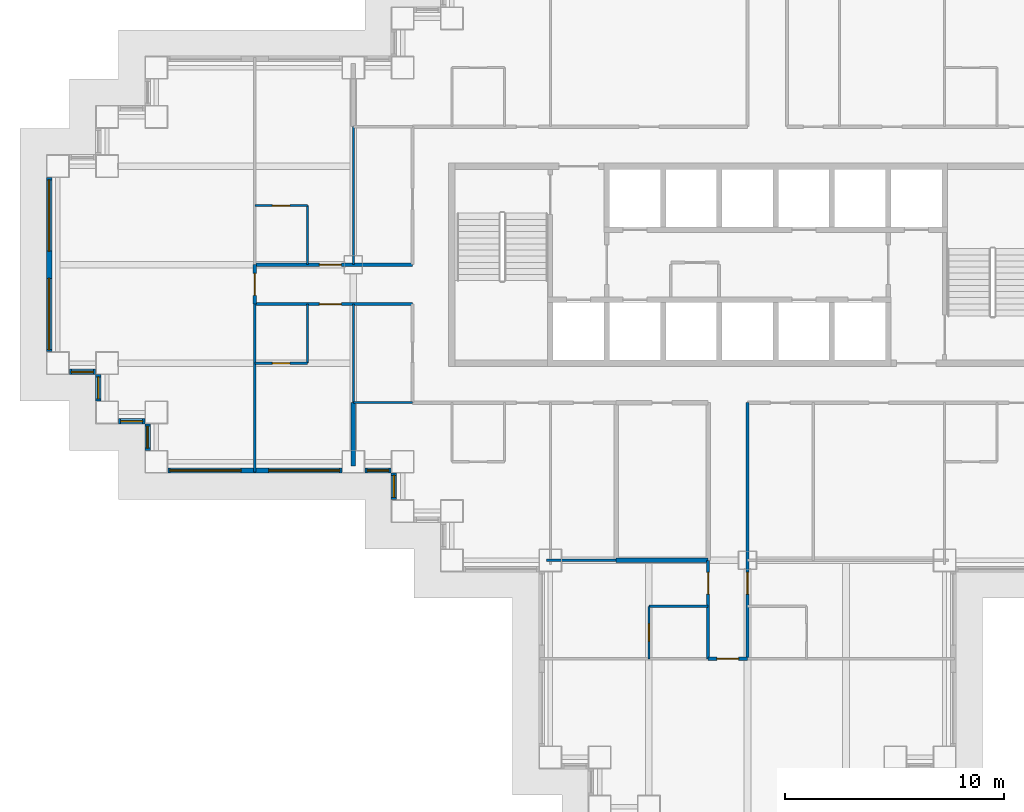
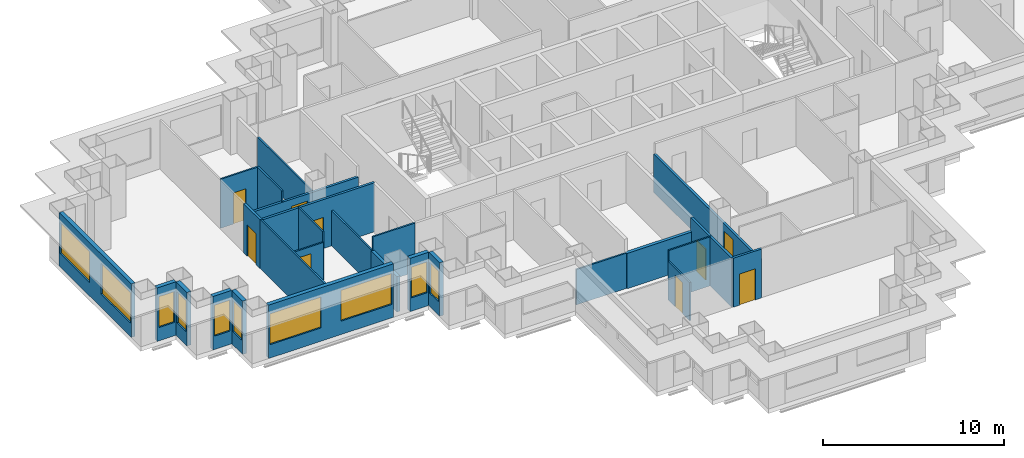
# One storey, part 3 of 14: 27 walls, 10 windows, 9 doors, 19 openings.
"""IFC4 building model written with IfcOpenShell, lengths in metres."""

import ifcopenshell
import ifcopenshell.guid

model = None  # the IFC model being written
_history = None  # IfcOwnerHistory: only IFC2X3 demands one
_inside = {}  # id of a spatial element -> (the spatial element, [elements in it])
_under = {}  # id of a project, library or spatial element -> (it, [spatial elements below it])
_declared = {}  # id of a project -> (the project, [libraries it declares])
_typed = {}  # id of a type object -> (the type object, [elements of that type])
_made_of = {}  # id of a material, layer set ... -> (it, [elements and type objects made of it])


def new_model(schema):
    """Start an empty IFC model of exactly this schema.

    Asked for "IFC4X3", IfcOpenShell would pick the latest addendum, in which some entities
    have other attributes; the version numbers below select the first issue.
    IFC2X3 requires an IfcOwnerHistory on every rooted entity: one is made here for all.
    """
    global model, _history
    if schema == "IFC4X3":
        model = ifcopenshell.file(schema_version=(4, 3, 0, 0))
    else:
        model = ifcopenshell.file(schema=schema)
    _inside.clear()
    _under.clear()
    _declared.clear()
    _typed.clear()
    _made_of.clear()
    _history = None
    if model.schema == "IFC2X3":
        org = make("IfcOrganization", Name="unknown")
        user = make(
            "IfcPersonAndOrganization",
            ThePerson=make("IfcPerson", FamilyName="unknown"),
            TheOrganization=org,
        )
        app = make(
            "IfcApplication",
            ApplicationDeveloper=org,
            Version="unknown",
            ApplicationFullName="unknown",
            ApplicationIdentifier="unknown",
        )
        _history = make(
            "IfcOwnerHistory",
            OwningUser=user,
            OwningApplication=app,
            ChangeAction="ADDED",
            CreationDate=0,
        )
    return model


def make(cls, **values):
    """One entity of the class cls with the attributes given. An attribute that is None is left unset."""
    return model.create_entity(
        cls, **{name: value for name, value in values.items() if value is not None}
    )


def rooted(cls, **values):
    """An entity with a GlobalId (a new one), such as an element, a storey or a relation."""
    return make(cls, GlobalId=ifcopenshell.guid.new(), OwnerHistory=_history, **values)


def si_unit(unit_type, name, prefix=None):
    """IfcSIUnit, for example si_unit("LENGTHUNIT", "METRE", prefix="MILLI")."""
    return make("IfcSIUnit", UnitType=unit_type, Prefix=prefix, Name=name)


def assignment(units):
    """IfcUnitAssignment: the units of a project."""
    return None if units is None else make("IfcUnitAssignment", Units=units)


def point(xyz):
    """IfcCartesianPoint."""
    return None if xyz is None else make("IfcCartesianPoint", Coordinates=xyz)


def direction(xyz):
    """IfcDirection."""
    return None if xyz is None else make("IfcDirection", DirectionRatios=xyz)


def frame(location, z_axis=None, x_axis=None):
    """IfcAxis2Placement3D, a coordinate frame: its origin and axes. An axis left out is left unset."""
    return make(
        "IfcAxis2Placement3D",
        Location=point(location),
        Axis=direction(z_axis),
        RefDirection=direction(x_axis),
    )


def frame_2d(location, x_axis=None):
    """IfcAxis2Placement2D, a coordinate frame in the plane: its origin and x axis."""
    return make(
        "IfcAxis2Placement2D", Location=point(location), RefDirection=direction(x_axis)
    )


def origin():
    """The frame at (0, 0, 0) with its axes left unset."""
    return frame((0.0, 0.0, 0.0))


def place(relative_to, where):
    """IfcLocalPlacement: puts the frame where relative to a parent placement (None: the world)."""
    return make(
        "IfcLocalPlacement", PlacementRelTo=relative_to, RelativePlacement=where
    )


def context(
    kind, dimensions, precision=None, world=None, true_north=None, identifier=None
):
    """IfcGeometricRepresentationContext, for example the 3D "Model" context."""
    return make(
        "IfcGeometricRepresentationContext",
        ContextIdentifier=identifier,
        ContextType=kind,
        CoordinateSpaceDimension=dimensions,
        Precision=precision,
        WorldCoordinateSystem=world,
        TrueNorth=true_north,
    )


def subcontext(parent, identifier, kind, view, scale=None):
    """IfcGeometricRepresentationSubContext, for example "Body" below "Model"."""
    return make(
        "IfcGeometricRepresentationSubContext",
        ContextIdentifier=identifier,
        ContextType=kind,
        ParentContext=parent,
        TargetScale=scale,
        TargetView=view,
    )


def project(units=None, contexts=None):
    """IfcProject with its units and contexts."""
    return rooted(
        "IfcProject",
        Name="project",
        RepresentationContexts=contexts,
        UnitsInContext=assignment(units),
    )


def spatial(cls, under=None, at=None, **own):
    """A site, building, storey or space (cls), placed at a placement, below another one or the project."""
    s = rooted(cls, ObjectPlacement=at, **own)
    if under is not None:
        _under.setdefault(under.id(), (under, []))[1].append(s)
    return s


def profile(cls, at=None, kind="AREA", **sizes):
    """A parametric profile (cls). Its sizes go by their IFC names, for example OverallWidth=200.0."""
    return make(cls, ProfileType=kind, Position=at, **sizes)


def rectangle(**sizes):
    """IfcRectangleProfileDef."""
    return profile("IfcRectangleProfileDef", **sizes)


def extrude(swept, where, along, depth):
    """IfcExtrudedAreaSolid: the profile swept, set in the frame where, extruded along a direction by depth."""
    return make(
        "IfcExtrudedAreaSolid",
        SweptArea=swept,
        Position=where,
        ExtrudedDirection=direction(along),
        Depth=depth,
    )


def shape(context_of_items, identifier, shape_type, items):
    """IfcShapeRepresentation: the items that make up one representation, for example the "Body"."""
    return make(
        "IfcShapeRepresentation",
        ContextOfItems=context_of_items,
        RepresentationIdentifier=identifier,
        RepresentationType=shape_type,
        Items=items,
    )


def material(Name=None, Category=None):
    """IfcMaterial."""
    return make("IfcMaterial", Name=Name, Category=Category)


def layer(
    of_material, thickness, ventilated=None, Name=None, Category=None, Priority=None
):
    """IfcMaterialLayer: one layer of a wall or slab, of a material (None: an air gap)."""
    return make(
        "IfcMaterialLayer",
        Material=of_material,
        LayerThickness=thickness,
        IsVentilated=ventilated,
        Name=Name,
        Category=Category,
        Priority=Priority,
    )


def layer_set(layers, Name=None):
    """IfcMaterialLayerSet."""
    return make("IfcMaterialLayerSet", MaterialLayers=layers, LayerSetName=Name)


def made_of(thing, what):
    """Note that an element or type object is made of a material, layer set ...; save() writes the relation."""
    if what is not None:
        _made_of.setdefault(what.id(), (what, []))[1].append(thing)
    return thing


def type_object(cls, material=None, **own):
    """A type object (cls), such as IfcWallType, which elements share."""
    return made_of(rooted(cls, **own), material)


def element(
    cls,
    number,
    at=None,
    inside=None,
    cuts=None,
    type_object=None,
    material=None,
    context=None,
    identifier="Body",
    shape_type=None,
    held_by="IfcProductDefinitionShape",
    body=None,
    shapes=None,
    **own,
):
    """One element of the class cls, such as IfcWall. Its Tag is "e" and its number.

    at: its placement. inside: the storey or other place that contains it. cuts: it is an
    opening in that element (IfcRelVoidsElement). A single representation is given by context,
    identifier, shape_type and body (its items); several are given by shapes. held_by: the class
    of the entity that holds the representations. save() writes the other relations.
    """
    e = rooted(cls, Tag="e%d" % number, ObjectPlacement=at, **own)
    if body is not None:
        shapes = [shape(context, identifier, shape_type, body)]
    if shapes is not None:
        e.Representation = make(held_by, Representations=shapes)
    if inside is not None:
        _inside.setdefault(inside.id(), (inside, []))[1].append(e)
    if cuts is not None:
        rooted(
            "IfcRelVoidsElement", RelatingBuildingElement=cuts, RelatedOpeningElement=e
        )
    if type_object is not None:
        _typed.setdefault(type_object.id(), (type_object, []))[1].append(e)
    return made_of(e, material)


def fill(opening, filler):
    """IfcRelFillsElement: the door or window that sits in an opening."""
    return rooted(
        "IfcRelFillsElement",
        RelatingOpeningElement=opening,
        RelatedBuildingElement=filler,
    )


def aggregate(whole, parts):
    """IfcRelAggregates: a whole, such as a stair, and the parts it consists of."""
    return rooted("IfcRelAggregates", RelatingObject=whole, RelatedObjects=parts)


def save(model, path):
    """Write the relations noted so far, then the file.

    IfcRelAggregates (storeys below a building ...), IfcRelContainedInSpatialStructure (elements
    in a storey), IfcRelDefinesByType, IfcRelAssociatesMaterial and IfcRelDeclares: one each for
    every whole, place, type object, material and project.
    """
    for whole, parts in _under.values():
        aggregate(whole, parts)
    for where, things in _inside.values():
        rooted(
            "IfcRelContainedInSpatialStructure",
            RelatedElements=things,
            RelatingStructure=where,
        )
    for kind, things in _typed.values():
        rooted("IfcRelDefinesByType", RelatedObjects=things, RelatingType=kind)
    for what, things in _made_of.values():
        rooted("IfcRelAssociatesMaterial", RelatedObjects=things, RelatingMaterial=what)
    for by, libraries in _declared.values():
        rooted("IfcRelDeclares", RelatingContext=by, RelatedDefinitions=libraries)
    model.write(path)


model = new_model("IFC4")

# Units and contexts
model_context = context("Model", 3, precision=1e-05, world=origin(), true_north=direction((0.0, 1.0)))
body_context = subcontext(model_context, "Body", "Model", "MODEL_VIEW")
ifc_project = project(units=[si_unit("LENGTHUNIT", "METRE"), si_unit("AREAUNIT", "SQUARE_METRE"), si_unit("VOLUMEUNIT", "CUBIC_METRE"), si_unit("PLANEANGLEUNIT", "RADIAN"), si_unit("MASSUNIT", "GRAM", prefix="KILO")], contexts=[model_context])

# Site, building, storey
site_placement = place(None, origin())
site = spatial("IfcSite", under=ifc_project, at=site_placement, CompositionType="ELEMENT")
building_placement = place(site_placement, origin())
building = spatial("IfcBuilding", under=site, at=building_placement, Name="Caravel Reach Hotel and Residences", CompositionType="ELEMENT")
storey_placement = place(building_placement, frame((0.0, 0.0, 37.199951171875)))
storey = spatial("IfcBuildingStorey", under=building, at=storey_placement, Name="L07", CompositionType="ELEMENT", Elevation=37.199951171875)

# Wall
ifc_material_1 = material(Name="Gypsum board on steel stud", Category="steel")
ifc_layer_1 = layer(ifc_material_1, 0.10009765625)
ifc_layer_set_1 = layer_set([ifc_layer_1], Name="Bathroom pod wall 100 mm")
wall_type_1 = type_object("IfcWallType", Name="Bathroom pod wall 100 mm", PredefinedType="PARTITIONING", material=ifc_layer_set_1)
wall_1_placement = place(storey_placement, frame((27.0, 11.39990234375, 0.0), z_axis=(0.0, 0.0, 1.0), x_axis=(1.0, 0.0, 0.0)))
element("IfcWall", 1, at=wall_1_placement, inside=storey, type_object=wall_type_1, Name="L07 wall w075", PredefinedType="PARTITIONING", context=body_context, shape_type="SweptSolid", body=[
    extrude(rectangle(XDim=2.699951171875, YDim=0.10009765625, at=frame_2d((1.35009765625, 0.0))), origin(), (0.0, 0.0, 1.0), 3.300048828125),
])

# Wall, opening, door
wall_2_placement = place(storey_placement, frame((9.0, 22.5, 0.0), z_axis=(0.0, 0.0, 1.0), x_axis=(1.0, 0.0, 0.0)))
wall_2 = element("IfcWall", 2, at=wall_2_placement, inside=storey, type_object=wall_type_1, Name="L07 wall w078", PredefinedType="PARTITIONING", context=body_context, shape_type="SweptSolid", body=[
    extrude(rectangle(XDim=2.39990234375, YDim=0.10009765625, at=frame_2d((1.199951171875, 0.0))), origin(), (0.0, 0.0, 1.0), 2.580078125),
])
opening_1_placement = place(wall_2_placement, frame((0.800048828125, 0.0, 0.0)))
opening_1 = element("IfcOpeningElement", 3, at=opening_1_placement, cuts=wall_2, Name="Opening D07-016", PredefinedType="OPENING", context=body_context, shape_type="SweptSolid", body=[
    extrude(rectangle(XDim=0.800048828125, YDim=2.10009765625, at=frame_2d((0.39990234375, 1.050048828125))), frame((0.0, 0.06005859375, 0.0), z_axis=(0.0, -1.0, 0.0), x_axis=(1.0, 0.0, 0.0)), (0.0, 0.0, 1.0), 0.1201171875),
])
ifc_material_2 = material(Name="Timber and steel door leaf", Category="steel")
door_type_1 = type_object("IfcDoorType", Name="Bathroom door 800 x 2100", OperationType="SINGLE_SWING_LEFT", PredefinedType="DOOR", material=ifc_material_2)
door_1_placement = place(opening_1_placement, origin())
door_1 = element("IfcDoor", 4, at=door_1_placement, inside=storey, type_object=door_type_1, Name="door D07-016", OperationType="SINGLE_SWING_RIGHT", OverallHeight=2.10009765625, OverallWidth=0.800048828125, PredefinedType="DOOR", context=body_context, shape_type="SweptSolid", body=[
    extrude(rectangle(XDim=0.800048828125, YDim=2.10009765625, at=frame_2d((0.39990234375, 1.050048828125))), frame((0.0, 0.02490234375, 0.0), z_axis=(0.0, -1.0, 0.0), x_axis=(1.0, 0.0, 0.0)), (0.0, 0.0, 1.0), 0.050048828125),
])
fill(opening_1, door_1)

wall_3_placement = place(storey_placement, frame((9.0, 29.699951171875, 0.0), z_axis=(0.0, 0.0, 1.0), x_axis=(1.0, 0.0, 0.0)))
wall_3 = element("IfcWall", 5, at=wall_3_placement, inside=storey, type_object=wall_type_1, Name="L07 wall w083", PredefinedType="PARTITIONING", context=body_context, shape_type="SweptSolid", body=[
    extrude(rectangle(XDim=2.39990234375, YDim=0.10009765625, at=frame_2d((1.199951171875, 0.0))), origin(), (0.0, 0.0, 1.0), 3.300048828125),
])
opening_2_placement = place(wall_3_placement, frame((0.800048828125, 0.0, 0.0)))
opening_2 = element("IfcOpeningElement", 6, at=opening_2_placement, cuts=wall_3, Name="Opening D07-018", PredefinedType="OPENING", context=body_context, shape_type="SweptSolid", body=[
    extrude(rectangle(XDim=0.800048828125, YDim=2.10009765625, at=frame_2d((0.39990234375, 1.050048828125))), frame((0.0, 0.06005859375, 0.0), z_axis=(0.0, -1.0, 0.0), x_axis=(1.0, 0.0, 0.0)), (0.0, 0.0, 1.0), 0.1201171875),
])
door_2_placement = place(opening_2_placement, origin())
door_2 = element("IfcDoor", 7, at=door_2_placement, inside=storey, type_object=door_type_1, Name="door D07-018", OperationType="SINGLE_SWING_RIGHT", OverallHeight=2.10009765625, OverallWidth=0.800048828125, PredefinedType="DOOR", context=body_context, shape_type="SweptSolid", body=[
    extrude(rectangle(XDim=0.800048828125, YDim=2.10009765625, at=frame_2d((0.39990234375, 1.050048828125))), frame((0.0, 0.02490234375, 0.0), z_axis=(0.0, -1.0, 0.0), x_axis=(1.0, 0.0, 0.0)), (0.0, 0.0, 1.0), 0.050048828125),
])
fill(opening_2, door_2)

# Walls
for number, where, z_axis, x_axis, name in (
    (8, (11.39990234375, 27.0, 0.0), (0.0, 0.0, 1.0), (0.0, 1.0, 0.0), "L07 wall w089"),
    (9, (11.39990234375, 22.5, 0.0), (0.0, 0.0, 1.0), (0.0, 1.0, 0.0), "L07 wall w090"),
):
    element("IfcWall", number, at=place(storey_placement, frame(where, z_axis=z_axis, x_axis=x_axis)), inside=storey, type_object=wall_type_1, Name=name, PredefinedType="PARTITIONING", context=body_context, shape_type="SweptSolid", body=[
        extrude(rectangle(XDim=2.699951171875, YDim=0.10009765625, at=frame_2d((1.35009765625, 0.0))), origin(), (0.0, 0.0, 1.0), 3.300048828125),
    ])

# Wall, opening, door
wall_4_placement = place(storey_placement, frame((27.0, 9.0, 0.0), z_axis=(0.0, 0.0, 1.0), x_axis=(0.0, 1.0, 0.0)))
wall_4 = element("IfcWall", 10, at=wall_4_placement, inside=storey, type_object=wall_type_1, Name="L07 wall w095", PredefinedType="PARTITIONING", context=body_context, shape_type="SweptSolid", body=[
    extrude(rectangle(XDim=2.39990234375, YDim=0.10009765625, at=frame_2d((1.199951171875, 0.0))), origin(), (0.0, 0.0, 1.0), 2.580078125),
])
opening_3_placement = place(wall_4_placement, frame((0.800048828125, 0.0, 0.0)))
opening_3 = element("IfcOpeningElement", 11, at=opening_3_placement, cuts=wall_4, Name="Opening D07-033", PredefinedType="OPENING", context=body_context, shape_type="SweptSolid", body=[
    extrude(rectangle(XDim=0.800048828125, YDim=2.10009765625, at=frame_2d((0.39990234375, 1.050048828125))), frame((0.0, 0.06005859375, 0.0), z_axis=(0.0, -1.0, 0.0), x_axis=(1.0, 0.0, 0.0)), (0.0, 0.0, 1.0), 0.1201171875),
])
door_3_placement = place(opening_3_placement, origin())
door_3 = element("IfcDoor", 12, at=door_3_placement, inside=storey, type_object=door_type_1, Name="door D07-033", OperationType="SINGLE_SWING_RIGHT", OverallHeight=2.10009765625, OverallWidth=0.800048828125, PredefinedType="DOOR", context=body_context, shape_type="SweptSolid", body=[
    extrude(rectangle(XDim=0.800048828125, YDim=2.10009765625, at=frame_2d((0.39990234375, 1.050048828125))), frame((0.0, 0.02490234375, 0.0), z_axis=(0.0, -1.0, 0.0), x_axis=(1.0, 0.0, 0.0)), (0.0, 0.0, 1.0), 0.050048828125),
])
fill(opening_3, door_3)

# Wall
ifc_material_3 = material(Name="Autoclaved aerated block wall")
ifc_layer_2 = layer(ifc_material_3, 0.199951171875)
ifc_layer_set_2 = layer_set([ifc_layer_2], Name="Compartment wall 200 mm EI 120")
wall_type_2 = type_object("IfcWallType", Name="Compartment wall 200 mm EI 120", PredefinedType="PARTITIONING", material=ifc_layer_set_2)
wall_5_placement = place(storey_placement, frame((25.5, 13.5, 0.0), z_axis=(0.0, 0.0, 1.0), x_axis=(1.0, 0.0, 0.0)))
element("IfcWall", 13, at=wall_5_placement, inside=storey, type_object=wall_type_2, Name="L07 wall w105", PredefinedType="PARTITIONING", context=body_context, shape_type="SweptSolid", body=[
    extrude(rectangle(XDim=4.199951171875, YDim=0.199951171875, at=frame_2d((2.10009765625, 0.0))), origin(), (0.0, 0.0, 1.0), 2.380126953125),
])

# Wall, opening, door
ifc_material_4 = material(Name="Gypsum board on steel stud, fire-rated", Category="steel")
ifc_layer_3 = layer(ifc_material_4, 0.14990234375)
ifc_layer_set_3 = layer_set([ifc_layer_3], Name="Corridor wall 150 mm EI 60")
wall_type_3 = type_object("IfcWallType", Name="Corridor wall 150 mm EI 60", PredefinedType="PARTITIONING", material=ifc_layer_set_3)
wall_6_placement = place(storey_placement, frame((9.0, 25.199951171875, 0.0), z_axis=(0.0, 0.0, 1.0), x_axis=(1.0, 0.0, 0.0)))
wall_6 = element("IfcWall", 14, at=wall_6_placement, inside=storey, type_object=wall_type_3, Name="L07 wall w006", PredefinedType="PARTITIONING", context=body_context, shape_type="SweptSolid", body=[
    extrude(rectangle(XDim=7.199951171875, YDim=0.14990234375, at=frame_2d((3.60009765625, 0.0))), origin(), (0.0, 0.0, 1.0), 3.300048828125),
])
opening_4_placement = place(wall_6_placement, frame((2.949951171875, 0.0, 0.0)))
opening_4 = element("IfcOpeningElement", 15, at=opening_4_placement, cuts=wall_6, Name="Opening D07-015", PredefinedType="OPENING", context=body_context, shape_type="SweptSolid", body=[
    extrude(rectangle(XDim=1.0, YDim=2.10009765625, at=frame_2d((0.5, 1.050048828125))), frame((0.0, 0.0849609375, 0.0), z_axis=(0.0, -1.0, 0.0), x_axis=(1.0, 0.0, 0.0)), (0.0, 0.0, 1.0), 0.169921875),
])
ifc_material_5 = material(Name="Steel fire door leaf", Category="steel")
door_type_2 = type_object("IfcDoorType", Name="Guest room door 1000 x 2100 EI 30", OperationType="SINGLE_SWING_LEFT", PredefinedType="DOOR", material=ifc_material_5)
door_4_placement = place(opening_4_placement, origin())
door_4 = element("IfcDoor", 16, at=door_4_placement, inside=storey, type_object=door_type_2, Name="door D07-015", OperationType="SINGLE_SWING_RIGHT", OverallHeight=2.10009765625, OverallWidth=1.0, PredefinedType="DOOR", context=body_context, shape_type="SweptSolid", body=[
    extrude(rectangle(XDim=1.0, YDim=2.10009765625, at=frame_2d((0.5, 1.050048828125))), frame((0.0, 0.02490234375, 0.0), z_axis=(0.0, -1.0, 0.0), x_axis=(1.0, 0.0, 0.0)), (0.0, 0.0, 1.0), 0.050048828125),
])
fill(opening_4, door_4)

wall_7_placement = place(storey_placement, frame((9.0, 27.0, 0.0), z_axis=(0.0, 0.0, 1.0), x_axis=(1.0, 0.0, 0.0)))
wall_7 = element("IfcWall", 17, at=wall_7_placement, inside=storey, type_object=wall_type_3, Name="L07 wall w010", PredefinedType="PARTITIONING", context=body_context, shape_type="SweptSolid", body=[
    extrude(rectangle(XDim=7.199951171875, YDim=0.14990234375, at=frame_2d((3.60009765625, 0.0))), origin(), (0.0, 0.0, 1.0), 2.580078125),
])
opening_5_placement = place(wall_7_placement, frame((2.949951171875, 0.0, 0.0)))
opening_5 = element("IfcOpeningElement", 18, at=opening_5_placement, cuts=wall_7, Name="Opening D07-017", PredefinedType="OPENING", context=body_context, shape_type="SweptSolid", body=[
    extrude(rectangle(XDim=1.0, YDim=2.10009765625, at=frame_2d((0.5, 1.050048828125))), frame((0.0, 0.0849609375, 0.0), z_axis=(0.0, -1.0, 0.0), x_axis=(1.0, 0.0, 0.0)), (0.0, 0.0, 1.0), 0.169921875),
])
door_5_placement = place(opening_5_placement, origin())
door_5 = element("IfcDoor", 19, at=door_5_placement, inside=storey, type_object=door_type_2, Name="door D07-017", OperationType="SINGLE_SWING_RIGHT", OverallHeight=2.10009765625, OverallWidth=1.0, PredefinedType="DOOR", context=body_context, shape_type="SweptSolid", body=[
    extrude(rectangle(XDim=1.0, YDim=2.10009765625, at=frame_2d((0.5, 1.050048828125))), frame((0.0, 0.02490234375, 0.0), z_axis=(0.0, -1.0, 0.0), x_axis=(1.0, 0.0, 0.0)), (0.0, 0.0, 1.0), 0.050048828125),
])
fill(opening_5, door_5)

wall_8_placement = place(storey_placement, frame((29.699951171875, 9.0, 0.0), z_axis=(0.0, 0.0, 1.0), x_axis=(1.0, 0.0, 0.0)))
wall_8 = element("IfcWall", 20, at=wall_8_placement, inside=storey, type_object=wall_type_3, Name="L07 wall w022", PredefinedType="PARTITIONING", context=body_context, shape_type="SweptSolid", body=[
    extrude(rectangle(XDim=1.800048828125, YDim=0.14990234375, at=frame_2d((0.89990234375, 0.0))), origin(), (0.0, 0.0, 1.0), 3.300048828125),
])
opening_6_placement = place(wall_8_placement, frame((0.39990234375, 0.0, 0.0)))
opening_6 = element("IfcOpeningElement", 21, at=opening_6_placement, cuts=wall_8, Name="Opening D07-040", PredefinedType="OPENING", context=body_context, shape_type="SweptSolid", body=[
    extrude(rectangle(XDim=1.0, YDim=2.10009765625, at=frame_2d((0.5, 1.050048828125))), frame((0.0, 0.0849609375, 0.0), z_axis=(0.0, -1.0, 0.0), x_axis=(1.0, 0.0, 0.0)), (0.0, 0.0, 1.0), 0.169921875),
])
door_6_placement = place(opening_6_placement, origin())
door_6 = element("IfcDoor", 22, at=door_6_placement, inside=storey, type_object=door_type_2, Name="door D07-040", OperationType="SINGLE_SWING_LEFT", OverallHeight=2.10009765625, OverallWidth=1.0, PredefinedType="DOOR", context=body_context, shape_type="SweptSolid", body=[
    extrude(rectangle(XDim=1.0, YDim=2.10009765625, at=frame_2d((0.5, 1.050048828125))), frame((0.0, 0.02490234375, 0.0), z_axis=(0.0, -1.0, 0.0), x_axis=(1.0, 0.0, 0.0)), (0.0, 0.0, 1.0), 0.050048828125),
])
fill(opening_6, door_6)

wall_9_placement = place(storey_placement, frame((29.699951171875, 9.0, 0.0), z_axis=(0.0, 0.0, 1.0), x_axis=(0.0, 1.0, 0.0)))
wall_9 = element("IfcWall", 23, at=wall_9_placement, inside=storey, type_object=wall_type_3, Name="L07 wall w025", PredefinedType="PARTITIONING", context=body_context, shape_type="SweptSolid", body=[
    extrude(rectangle(XDim=4.5, YDim=0.14990234375, at=frame_2d((2.25, 0.0))), origin(), (0.0, 0.0, 1.0), 3.300048828125),
])
opening_7_placement = place(wall_9_placement, frame((2.949951171875, 0.0, 0.0)))
opening_7 = element("IfcOpeningElement", 24, at=opening_7_placement, cuts=wall_9, Name="Opening D07-032", PredefinedType="OPENING", context=body_context, shape_type="SweptSolid", body=[
    extrude(rectangle(XDim=1.0, YDim=2.10009765625, at=frame_2d((0.5, 1.050048828125))), frame((0.0, 0.0849609375, 0.0), z_axis=(0.0, -1.0, 0.0), x_axis=(1.0, 0.0, 0.0)), (0.0, 0.0, 1.0), 0.169921875),
])
door_7_placement = place(opening_7_placement, origin())
door_7 = element("IfcDoor", 25, at=door_7_placement, inside=storey, type_object=door_type_2, Name="door D07-032", OperationType="SINGLE_SWING_RIGHT", OverallHeight=2.10009765625, OverallWidth=1.0, PredefinedType="DOOR", context=body_context, shape_type="SweptSolid", body=[
    extrude(rectangle(XDim=1.0, YDim=2.10009765625, at=frame_2d((0.5, 1.050048828125))), frame((0.0, 0.02490234375, 0.0), z_axis=(0.0, -1.0, 0.0), x_axis=(1.0, 0.0, 0.0)), (0.0, 0.0, 1.0), 0.050048828125),
])
fill(opening_7, door_7)

wall_10_placement = place(storey_placement, frame((31.5, 9.0, 0.0), z_axis=(0.0, 0.0, 1.0), x_axis=(0.0, 1.0, 0.0)))
wall_10 = element("IfcWall", 26, at=wall_10_placement, inside=storey, type_object=wall_type_3, Name="L07 wall w026", PredefinedType="PARTITIONING", context=body_context, shape_type="SweptSolid", body=[
    extrude(rectangle(XDim=11.699951171875, YDim=0.14990234375, at=frame_2d((5.85009765625, 0.0))), origin(), (0.0, 0.0, 1.0), 2.580078125),
])
opening_8_placement = place(wall_10_placement, frame((2.949951171875, 0.0, 0.0)))
opening_8 = element("IfcOpeningElement", 27, at=opening_8_placement, cuts=wall_10, Name="Opening D07-034", PredefinedType="OPENING", context=body_context, shape_type="SweptSolid", body=[
    extrude(rectangle(XDim=1.0, YDim=2.10009765625, at=frame_2d((0.5, 1.050048828125))), frame((0.0, 0.0849609375, 0.0), z_axis=(0.0, -1.0, 0.0), x_axis=(1.0, 0.0, 0.0)), (0.0, 0.0, 1.0), 0.169921875),
])
door_8_placement = place(opening_8_placement, origin())
door_8 = element("IfcDoor", 28, at=door_8_placement, inside=storey, type_object=door_type_2, Name="door D07-034", OperationType="SINGLE_SWING_RIGHT", OverallHeight=2.10009765625, OverallWidth=1.0, PredefinedType="DOOR", context=body_context, shape_type="SweptSolid", body=[
    extrude(rectangle(XDim=1.0, YDim=2.10009765625, at=frame_2d((0.5, 1.050048828125))), frame((0.0, 0.02490234375, 0.0), z_axis=(0.0, -1.0, 0.0), x_axis=(1.0, 0.0, 0.0)), (0.0, 0.0, 1.0), 0.050048828125),
])
fill(opening_8, door_8)

wall_11_placement = place(storey_placement, frame((9.0, 25.199951171875, 0.0), z_axis=(0.0, 0.0, 1.0), x_axis=(0.0, 1.0, 0.0)))
wall_11 = element("IfcWall", 29, at=wall_11_placement, inside=storey, type_object=wall_type_3, Name="L07 wall w037", PredefinedType="PARTITIONING", context=body_context, shape_type="SweptSolid", body=[
    extrude(rectangle(XDim=1.800048828125, YDim=0.14990234375, at=frame_2d((0.89990234375, 0.0))), origin(), (0.0, 0.0, 1.0), 3.300048828125),
])
opening_9_placement = place(wall_11_placement, frame((0.39990234375, 0.0, 0.0)))
opening_9 = element("IfcOpeningElement", 30, at=opening_9_placement, cuts=wall_11, Name="Opening D07-036", PredefinedType="OPENING", context=body_context, shape_type="SweptSolid", body=[
    extrude(rectangle(XDim=1.0, YDim=2.10009765625, at=frame_2d((0.5, 1.050048828125))), frame((0.0, 0.0849609375, 0.0), z_axis=(0.0, -1.0, 0.0), x_axis=(1.0, 0.0, 0.0)), (0.0, 0.0, 1.0), 0.169921875),
])
door_9_placement = place(opening_9_placement, origin())
door_9 = element("IfcDoor", 31, at=door_9_placement, inside=storey, type_object=door_type_2, Name="door D07-036", OperationType="SINGLE_SWING_LEFT", OverallHeight=2.10009765625, OverallWidth=1.0, PredefinedType="DOOR", context=body_context, shape_type="SweptSolid", body=[
    extrude(rectangle(XDim=1.0, YDim=2.10009765625, at=frame_2d((0.5, 1.050048828125))), frame((0.0, 0.02490234375, 0.0), z_axis=(0.0, -1.0, 0.0), x_axis=(1.0, 0.0, 0.0)), (0.0, 0.0, 1.0), 0.050048828125),
])
fill(opening_9, door_9)

# Wall, openings, windows
ifc_material_6 = material(Name="Insulated rainscreen wall, aluminium cladding", Category="aluminium")
ifc_layer_4 = layer(ifc_material_6, 0.25)
ifc_layer_set_4 = layer_set([ifc_layer_4], Name="EW1 Tower rainscreen wall")
wall_type_4 = type_object("IfcWallType", Name="EW1 Tower rainscreen wall", PredefinedType="SOLIDWALL", material=ifc_layer_set_4)
wall_12_placement = place(storey_placement, frame((-0.39990234375, 30.97509765625, 0.0), z_axis=(0.0, 0.0, 1.0), x_axis=(0.0, -1.0, 0.0)))
wall_12 = element("IfcWall", 32, at=wall_12_placement, inside=storey, type_object=wall_type_4, Name="External wall L07 W50.1", PredefinedType="SOLIDWALL", context=body_context, shape_type="SweptSolid", body=[
    extrude(rectangle(XDim=7.9501953125, YDim=0.25, at=frame_2d((3.97509765625, 0.0))), origin(), (0.0, 0.0, 1.0), 3.60009765625),
])
opening_10_placement = place(wall_12_placement, frame((0.10009765625, 0.0, 0.89990234375)))
opening_10 = element("IfcOpeningElement", 33, at=opening_10_placement, cuts=wall_12, Name="Opening WN2", PredefinedType="OPENING", context=body_context, shape_type="SweptSolid", body=[
    extrude(rectangle(XDim=3.25, YDim=2.080078125, at=frame_2d((1.625, 1.0400390625))), frame((0.0, 0.135009765625, 0.0), z_axis=(0.0, -1.0, 0.0), x_axis=(1.0, 0.0, 0.0)), (0.0, 0.0, 1.0), 0.27001953125),
])
opening_11_placement = place(wall_12_placement, frame((4.60009765625, 0.0, 0.89990234375)))
opening_11 = element("IfcOpeningElement", 34, at=opening_11_placement, cuts=wall_12, Name="Opening WN2", PredefinedType="OPENING", context=body_context, shape_type="SweptSolid", body=[
    extrude(rectangle(XDim=3.25, YDim=2.080078125, at=frame_2d((1.625, 1.0400390625))), frame((0.0, 0.135009765625, 0.0), z_axis=(0.0, -1.0, 0.0), x_axis=(1.0, 0.0, 0.0)), (0.0, 0.0, 1.0), 0.27001953125),
])
ifc_material_7 = material(Name="Dark low-e glazing in black aluminium frame", Category="aluminium")
window_type_1 = type_object("IfcWindowType", Name="Hotel guest room window 3250 x 2080", PartitioningType="SINGLE_PANEL", PredefinedType="WINDOW", material=ifc_material_7)
window_1_placement = place(opening_10_placement, origin())
window_1 = element("IfcWindow", 35, at=window_1_placement, inside=storey, type_object=window_type_1, Name="Window L07 W50.1.1", OverallHeight=2.080078125, OverallWidth=3.25, PartitioningType="SINGLE_PANEL", PredefinedType="WINDOW", context=body_context, shape_type="SweptSolid", body=[
    extrude(rectangle(XDim=3.25, YDim=2.080078125, at=frame_2d((1.625, 1.0400390625))), frame((0.0, 0.030029296875, 0.0), z_axis=(0.0, -1.0, 0.0), x_axis=(1.0, 0.0, 0.0)), (0.0, 0.0, 1.0), 0.06005859375),
])
fill(opening_10, window_1)
window_2_placement = place(opening_11_placement, origin())
window_2 = element("IfcWindow", 36, at=window_2_placement, inside=storey, type_object=window_type_1, Name="Window L07 W50.1.2", OverallHeight=2.080078125, OverallWidth=3.25, PartitioningType="SINGLE_PANEL", PredefinedType="WINDOW", context=body_context, shape_type="SweptSolid", body=[
    extrude(rectangle(XDim=3.25, YDim=2.080078125, at=frame_2d((1.625, 1.0400390625))), frame((0.0, 0.030029296875, 0.0), z_axis=(0.0, -1.0, 0.0), x_axis=(1.0, 0.0, 0.0)), (0.0, 0.0, 1.0), 0.06005859375),
])
fill(opening_11, window_2)

# Wall, opening, window
wall_13_placement = place(storey_placement, frame((0.52490234375, 22.10009765625, 0.0), z_axis=(0.0, 0.0, 1.0), x_axis=(1.0, 0.0, 0.0)))
wall_13 = element("IfcWall", 37, at=wall_13_placement, inside=storey, type_object=wall_type_4, Name="External wall L07 S51.1", PredefinedType="SOLIDWALL", context=body_context, shape_type="SweptSolid", body=[
    extrude(rectangle(XDim=1.2001953125, YDim=0.25, at=frame_2d((0.60009765625, 0.0))), origin(), (0.0, 0.0, 1.0), 3.60009765625),
])
opening_12_placement = place(wall_13_placement, frame((0.10009765625, 0.0, 0.89990234375)))
opening_12 = element("IfcOpeningElement", 38, at=opening_12_placement, cuts=wall_13, Name="Opening WN1", PredefinedType="OPENING", context=body_context, shape_type="SweptSolid", body=[
    extrude(rectangle(XDim=1.0, YDim=2.080078125, at=frame_2d((0.5, 1.0400390625))), frame((0.0, 0.135009765625, 0.0), z_axis=(0.0, -1.0, 0.0), x_axis=(1.0, 0.0, 0.0)), (0.0, 0.0, 1.0), 0.27001953125),
])
ifc_material_8 = material(Name="Dark low-e glazing in black aluminium frame", Category="aluminium")
window_type_2 = type_object("IfcWindowType", Name="Hotel suite corner window 1000 x 2080", PartitioningType="SINGLE_PANEL", PredefinedType="WINDOW", material=ifc_material_8)
window_3_placement = place(opening_12_placement, origin())
window_3 = element("IfcWindow", 39, at=window_3_placement, inside=storey, type_object=window_type_2, Name="Window L07 S51.1.1", OverallHeight=2.080078125, OverallWidth=1.0, PartitioningType="SINGLE_PANEL", PredefinedType="WINDOW", context=body_context, shape_type="SweptSolid", body=[
    extrude(rectangle(XDim=1.0, YDim=2.080078125, at=frame_2d((0.5, 1.0400390625))), frame((0.0, 0.030029296875, 0.0), z_axis=(0.0, -1.0, 0.0), x_axis=(1.0, 0.0, 0.0)), (0.0, 0.0, 1.0), 0.06005859375),
])
fill(opening_12, window_3)

wall_14_placement = place(storey_placement, frame((1.85009765625, 21.97509765625, 0.0), z_axis=(0.0, 0.0, 1.0), x_axis=(0.0, -1.0, 0.0)))
wall_14 = element("IfcWall", 40, at=wall_14_placement, inside=storey, type_object=wall_type_4, Name="External wall L07 W52.1", PredefinedType="SOLIDWALL", context=body_context, shape_type="SweptSolid", body=[
    extrude(rectangle(XDim=1.2001953125, YDim=0.25, at=frame_2d((0.60009765625, 0.0))), origin(), (0.0, 0.0, 1.0), 3.60009765625),
])
opening_13_placement = place(wall_14_placement, frame((0.10009765625, 0.0, 0.89990234375)))
opening_13 = element("IfcOpeningElement", 41, at=opening_13_placement, cuts=wall_14, Name="Opening WN1", PredefinedType="OPENING", context=body_context, shape_type="SweptSolid", body=[
    extrude(rectangle(XDim=1.0, YDim=2.080078125, at=frame_2d((0.5, 1.0400390625))), frame((0.0, 0.135009765625, 0.0), z_axis=(0.0, -1.0, 0.0), x_axis=(1.0, 0.0, 0.0)), (0.0, 0.0, 1.0), 0.27001953125),
])
window_4_placement = place(opening_13_placement, origin())
window_4 = element("IfcWindow", 42, at=window_4_placement, inside=storey, type_object=window_type_2, Name="Window L07 W52.1.1", OverallHeight=2.080078125, OverallWidth=1.0, PartitioningType="SINGLE_PANEL", PredefinedType="WINDOW", context=body_context, shape_type="SweptSolid", body=[
    extrude(rectangle(XDim=1.0, YDim=2.080078125, at=frame_2d((0.5, 1.0400390625))), frame((0.0, 0.030029296875, 0.0), z_axis=(0.0, -1.0, 0.0), x_axis=(1.0, 0.0, 0.0)), (0.0, 0.0, 1.0), 0.06005859375),
])
fill(opening_13, window_4)

wall_15_placement = place(storey_placement, frame((2.77490234375, 19.85009765625, 0.0), z_axis=(0.0, 0.0, 1.0), x_axis=(1.0, 0.0, 0.0)))
wall_15 = element("IfcWall", 43, at=wall_15_placement, inside=storey, type_object=wall_type_4, Name="External wall L07 S53.1", PredefinedType="SOLIDWALL", context=body_context, shape_type="SweptSolid", body=[
    extrude(rectangle(XDim=1.2001953125, YDim=0.25, at=frame_2d((0.60009765625, 0.0))), origin(), (0.0, 0.0, 1.0), 3.60009765625),
])
opening_14_placement = place(wall_15_placement, frame((0.10009765625, 0.0, 0.89990234375)))
opening_14 = element("IfcOpeningElement", 44, at=opening_14_placement, cuts=wall_15, Name="Opening WN1", PredefinedType="OPENING", context=body_context, shape_type="SweptSolid", body=[
    extrude(rectangle(XDim=1.0, YDim=2.080078125, at=frame_2d((0.5, 1.0400390625))), frame((0.0, 0.135009765625, 0.0), z_axis=(0.0, -1.0, 0.0), x_axis=(1.0, 0.0, 0.0)), (0.0, 0.0, 1.0), 0.27001953125),
])
window_5_placement = place(opening_14_placement, origin())
window_5 = element("IfcWindow", 45, at=window_5_placement, inside=storey, type_object=window_type_2, Name="Window L07 S53.1.1", OverallHeight=2.080078125, OverallWidth=1.0, PartitioningType="SINGLE_PANEL", PredefinedType="WINDOW", context=body_context, shape_type="SweptSolid", body=[
    extrude(rectangle(XDim=1.0, YDim=2.080078125, at=frame_2d((0.5, 1.0400390625))), frame((0.0, 0.030029296875, 0.0), z_axis=(0.0, -1.0, 0.0), x_axis=(1.0, 0.0, 0.0)), (0.0, 0.0, 1.0), 0.06005859375),
])
fill(opening_14, window_5)

wall_16_placement = place(storey_placement, frame((4.10009765625, 19.72509765625, 0.0), z_axis=(0.0, 0.0, 1.0), x_axis=(0.0, -1.0, 0.0)))
wall_16 = element("IfcWall", 46, at=wall_16_placement, inside=storey, type_object=wall_type_4, Name="External wall L07 W54.1", PredefinedType="SOLIDWALL", context=body_context, shape_type="SweptSolid", body=[
    extrude(rectangle(XDim=1.2001953125, YDim=0.25, at=frame_2d((0.60009765625, 0.0))), origin(), (0.0, 0.0, 1.0), 3.60009765625),
])
opening_15_placement = place(wall_16_placement, frame((0.10009765625, 0.0, 0.89990234375)))
opening_15 = element("IfcOpeningElement", 47, at=opening_15_placement, cuts=wall_16, Name="Opening WN1", PredefinedType="OPENING", context=body_context, shape_type="SweptSolid", body=[
    extrude(rectangle(XDim=1.0, YDim=2.080078125, at=frame_2d((0.5, 1.0400390625))), frame((0.0, 0.135009765625, 0.0), z_axis=(0.0, -1.0, 0.0), x_axis=(1.0, 0.0, 0.0)), (0.0, 0.0, 1.0), 0.27001953125),
])
window_6_placement = place(opening_15_placement, origin())
window_6 = element("IfcWindow", 48, at=window_6_placement, inside=storey, type_object=window_type_2, Name="Window L07 W54.1.1", OverallHeight=2.080078125, OverallWidth=1.0, PartitioningType="SINGLE_PANEL", PredefinedType="WINDOW", context=body_context, shape_type="SweptSolid", body=[
    extrude(rectangle(XDim=1.0, YDim=2.080078125, at=frame_2d((0.5, 1.0400390625))), frame((0.0, 0.030029296875, 0.0), z_axis=(0.0, -1.0, 0.0), x_axis=(1.0, 0.0, 0.0)), (0.0, 0.0, 1.0), 0.06005859375),
])
fill(opening_15, window_6)

# Wall, openings, windows
wall_17_placement = place(storey_placement, frame((5.02490234375, 17.60009765625, 0.0), z_axis=(0.0, 0.0, 1.0), x_axis=(1.0, 0.0, 0.0)))
wall_17 = element("IfcWall", 49, at=wall_17_placement, inside=storey, type_object=wall_type_4, Name="External wall L07 S55.1", PredefinedType="SOLIDWALL", context=body_context, shape_type="SweptSolid", body=[
    extrude(rectangle(XDim=7.9501953125, YDim=0.25, at=frame_2d((3.97509765625, 0.0))), origin(), (0.0, 0.0, 1.0), 3.60009765625),
])
opening_16_placement = place(wall_17_placement, frame((0.10009765625, 0.0, 0.89990234375)))
opening_16 = element("IfcOpeningElement", 50, at=opening_16_placement, cuts=wall_17, Name="Opening WN2", PredefinedType="OPENING", context=body_context, shape_type="SweptSolid", body=[
    extrude(rectangle(XDim=3.25, YDim=2.080078125, at=frame_2d((1.625, 1.0400390625))), frame((0.0, 0.135009765625, 0.0), z_axis=(0.0, -1.0, 0.0), x_axis=(1.0, 0.0, 0.0)), (0.0, 0.0, 1.0), 0.27001953125),
])
opening_17_placement = place(wall_17_placement, frame((4.60009765625, 0.0, 0.89990234375)))
opening_17 = element("IfcOpeningElement", 51, at=opening_17_placement, cuts=wall_17, Name="Opening WN2", PredefinedType="OPENING", context=body_context, shape_type="SweptSolid", body=[
    extrude(rectangle(XDim=3.25, YDim=2.080078125, at=frame_2d((1.625, 1.0400390625))), frame((0.0, 0.135009765625, 0.0), z_axis=(0.0, -1.0, 0.0), x_axis=(1.0, 0.0, 0.0)), (0.0, 0.0, 1.0), 0.27001953125),
])
window_7_placement = place(opening_16_placement, origin())
window_7 = element("IfcWindow", 52, at=window_7_placement, inside=storey, type_object=window_type_1, Name="Window L07 S55.1.1", OverallHeight=2.080078125, OverallWidth=3.25, PartitioningType="SINGLE_PANEL", PredefinedType="WINDOW", context=body_context, shape_type="SweptSolid", body=[
    extrude(rectangle(XDim=3.25, YDim=2.080078125, at=frame_2d((1.625, 1.0400390625))), frame((0.0, 0.030029296875, 0.0), z_axis=(0.0, -1.0, 0.0), x_axis=(1.0, 0.0, 0.0)), (0.0, 0.0, 1.0), 0.06005859375),
])
fill(opening_16, window_7)
window_8_placement = place(opening_17_placement, origin())
window_8 = element("IfcWindow", 53, at=window_8_placement, inside=storey, type_object=window_type_1, Name="Window L07 S55.1.2", OverallHeight=2.080078125, OverallWidth=3.25, PartitioningType="SINGLE_PANEL", PredefinedType="WINDOW", context=body_context, shape_type="SweptSolid", body=[
    extrude(rectangle(XDim=3.25, YDim=2.080078125, at=frame_2d((1.625, 1.0400390625))), frame((0.0, 0.030029296875, 0.0), z_axis=(0.0, -1.0, 0.0), x_axis=(1.0, 0.0, 0.0)), (0.0, 0.0, 1.0), 0.06005859375),
])
fill(opening_17, window_8)

# Wall, opening, window
wall_18_placement = place(storey_placement, frame((14.02490234375, 17.60009765625, 0.0), z_axis=(0.0, 0.0, 1.0), x_axis=(1.0, 0.0, 0.0)))
wall_18 = element("IfcWall", 54, at=wall_18_placement, inside=storey, type_object=wall_type_4, Name="External wall L07 S55.2", PredefinedType="SOLIDWALL", context=body_context, shape_type="SweptSolid", body=[
    extrude(rectangle(XDim=1.2001953125, YDim=0.25, at=frame_2d((0.60009765625, 0.0))), origin(), (0.0, 0.0, 1.0), 3.60009765625),
])
opening_18_placement = place(wall_18_placement, frame((0.10009765625, 0.0, 0.89990234375)))
opening_18 = element("IfcOpeningElement", 55, at=opening_18_placement, cuts=wall_18, Name="Opening WN1", PredefinedType="OPENING", context=body_context, shape_type="SweptSolid", body=[
    extrude(rectangle(XDim=1.0, YDim=2.080078125, at=frame_2d((0.5, 1.0400390625))), frame((0.0, 0.135009765625, 0.0), z_axis=(0.0, -1.0, 0.0), x_axis=(1.0, 0.0, 0.0)), (0.0, 0.0, 1.0), 0.27001953125),
])
window_9_placement = place(opening_18_placement, origin())
window_9 = element("IfcWindow", 56, at=window_9_placement, inside=storey, type_object=window_type_2, Name="Window L07 S55.2.1", OverallHeight=2.080078125, OverallWidth=1.0, PartitioningType="SINGLE_PANEL", PredefinedType="WINDOW", context=body_context, shape_type="SweptSolid", body=[
    extrude(rectangle(XDim=1.0, YDim=2.080078125, at=frame_2d((0.5, 1.0400390625))), frame((0.0, 0.030029296875, 0.0), z_axis=(0.0, -1.0, 0.0), x_axis=(1.0, 0.0, 0.0)), (0.0, 0.0, 1.0), 0.06005859375),
])
fill(opening_18, window_9)

wall_19_placement = place(storey_placement, frame((15.35009765625, 17.47509765625, 0.0), z_axis=(0.0, 0.0, 1.0), x_axis=(0.0, -1.0, 0.0)))
wall_19 = element("IfcWall", 57, at=wall_19_placement, inside=storey, type_object=wall_type_4, Name="External wall L07 W56.1", PredefinedType="SOLIDWALL", context=body_context, shape_type="SweptSolid", body=[
    extrude(rectangle(XDim=1.2001953125, YDim=0.25, at=frame_2d((0.60009765625, 0.0))), origin(), (0.0, 0.0, 1.0), 3.60009765625),
])
opening_19_placement = place(wall_19_placement, frame((0.10009765625, 0.0, 0.89990234375)))
opening_19 = element("IfcOpeningElement", 58, at=opening_19_placement, cuts=wall_19, Name="Opening WN1", PredefinedType="OPENING", context=body_context, shape_type="SweptSolid", body=[
    extrude(rectangle(XDim=1.0, YDim=2.080078125, at=frame_2d((0.5, 1.0400390625))), frame((0.0, 0.135009765625, 0.0), z_axis=(0.0, -1.0, 0.0), x_axis=(1.0, 0.0, 0.0)), (0.0, 0.0, 1.0), 0.27001953125),
])
window_10_placement = place(opening_19_placement, origin())
window_10 = element("IfcWindow", 59, at=window_10_placement, inside=storey, type_object=window_type_2, Name="Window L07 W56.1.1", OverallHeight=2.080078125, OverallWidth=1.0, PartitioningType="SINGLE_PANEL", PredefinedType="WINDOW", context=body_context, shape_type="SweptSolid", body=[
    extrude(rectangle(XDim=1.0, YDim=2.080078125, at=frame_2d((0.5, 1.0400390625))), frame((0.0, 0.030029296875, 0.0), z_axis=(0.0, -1.0, 0.0), x_axis=(1.0, 0.0, 0.0)), (0.0, 0.0, 1.0), 0.06005859375),
])
fill(opening_19, window_10)

# Walls
ifc_material_9 = material(Name="Gypsum board on steel stud", Category="steel")
ifc_layer_5 = layer(ifc_material_9, 0.10009765625)
ifc_layer_set_5 = layer_set([ifc_layer_5], Name="Partition 100 mm")
wall_type_5 = type_object("IfcWallType", Name="Partition 100 mm", PredefinedType="PARTITIONING", material=ifc_layer_set_5)
wall_20_placement = place(storey_placement, frame((22.31005859375, 13.5, 0.0), z_axis=(0.0, 0.0, 1.0), x_axis=(1.0, 0.0, 0.0)))
element("IfcWall", 60, at=wall_20_placement, inside=storey, type_object=wall_type_5, Name="L07 wall w040", PredefinedType="PARTITIONING", context=body_context, shape_type="SweptSolid", body=[
    extrude(rectangle(XDim=3.18994140625, YDim=0.10009765625, at=frame_2d((1.594970703125, 0.0))), origin(), (0.0, 0.0, 1.0), 2.380126953125),
])
wall_21_placement = place(storey_placement, frame((13.5, 20.699951171875, 0.0), z_axis=(0.0, 0.0, 1.0), x_axis=(1.0, 0.0, 0.0)))
element("IfcWall", 61, at=wall_21_placement, inside=storey, type_object=wall_type_5, Name="L07 wall w041", PredefinedType="PARTITIONING", context=body_context, shape_type="SweptSolid", body=[
    extrude(rectangle(XDim=2.699951171875, YDim=0.10009765625, at=frame_2d((1.35009765625, 0.0))), origin(), (0.0, 0.0, 1.0), 3.300048828125),
])
wall_22_placement = place(storey_placement, frame((13.5, 27.0, 0.0), z_axis=(0.0, 0.0, 1.0), x_axis=(0.0, 1.0, 0.0)))
element("IfcWall", 62, at=wall_22_placement, inside=storey, type_object=wall_type_5, Name="L07 wall w054", PredefinedType="PARTITIONING", context=body_context, shape_type="SweptSolid", body=[
    extrude(rectangle(XDim=6.300048828125, YDim=0.10009765625, at=frame_2d((3.14990234375, 0.0))), origin(), (0.0, 0.0, 1.0), 2.380126953125),
])
wall_23_placement = place(storey_placement, frame((13.5, 20.699951171875, 0.0), z_axis=(0.0, 0.0, 1.0), x_axis=(0.0, 1.0, 0.0)))
element("IfcWall", 63, at=wall_23_placement, inside=storey, type_object=wall_type_5, Name="L07 wall w055", PredefinedType="PARTITIONING", context=body_context, shape_type="SweptSolid", body=[
    extrude(rectangle(XDim=4.5, YDim=0.10009765625, at=frame_2d((2.25, 0.0))), origin(), (0.0, 0.0, 1.0), 2.380126953125),
])
wall_24_placement = place(storey_placement, frame((9.0, 17.534912109375, 0.0), z_axis=(0.0, 0.0, 1.0), x_axis=(0.0, 1.0, 0.0)))
element("IfcWall", 64, at=wall_24_placement, inside=storey, type_object=wall_type_5, Name="L07 wall w066", PredefinedType="PARTITIONING", context=body_context, shape_type="SweptSolid", body=[
    extrude(rectangle(XDim=7.6650390625, YDim=0.10009765625, at=frame_2d((3.83251953125, 0.0))), origin(), (0.0, 0.0, 1.0), 3.300048828125),
])
ifc_material_10 = material(Name="Autoclaved aerated block wall")
ifc_layer_6 = layer(ifc_material_10, 0.199951171875)
ifc_layer_set_6 = layer_set([ifc_layer_6], Name="Party wall 200 mm EI 60")
wall_type_6 = type_object("IfcWallType", Name="Party wall 200 mm EI 60", PredefinedType="PARTITIONING", material=ifc_layer_set_6)
wall_25_placement = place(storey_placement, frame((13.5, 17.81005859375, 0.0), z_axis=(0.0, 0.0, 1.0), x_axis=(0.0, 1.0, 0.0)))
element("IfcWall", 65, at=wall_25_placement, inside=storey, type_object=wall_type_6, Name="L07 wall w068", PredefinedType="PARTITIONING", context=body_context, shape_type="SweptSolid", body=[
    extrude(rectangle(XDim=2.889892578125, YDim=0.199951171875, at=frame_2d((1.44482421875, 0.0))), origin(), (0.0, 0.0, 1.0), 2.380126953125),
])

save(model, "model.ifc")
